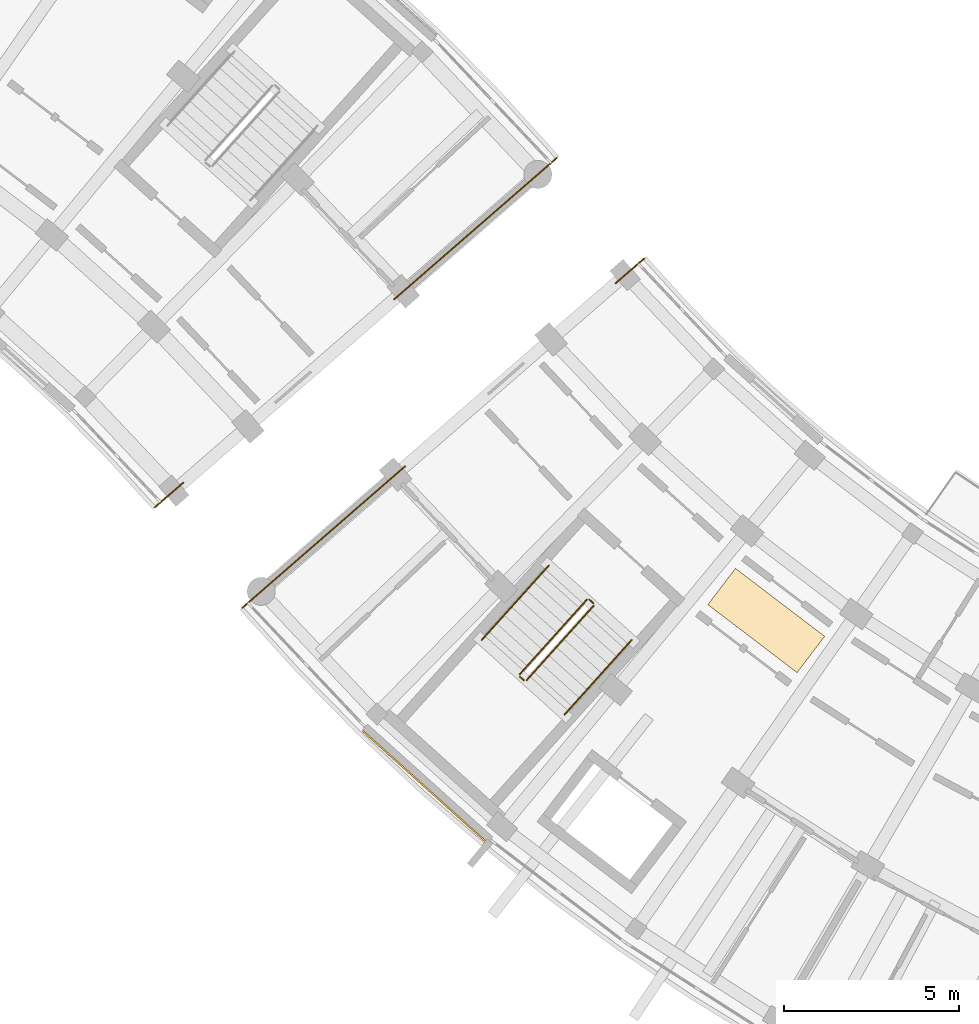
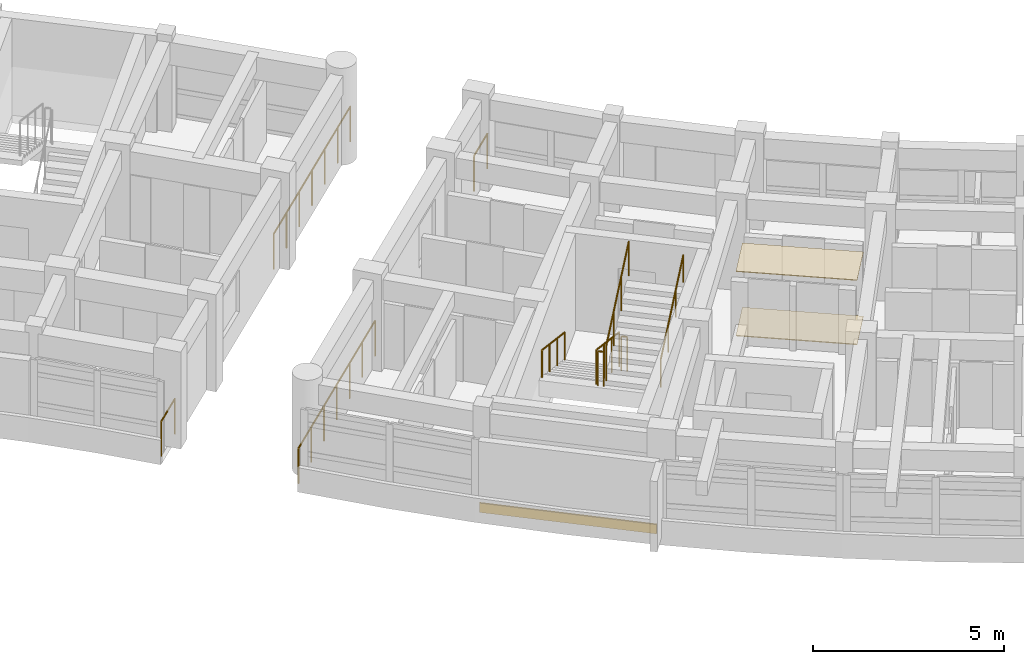
# One storey, part 47 of 56: 10 railings, 3 coverings.
"""IFC4 building model written with IfcOpenShell, lengths in metres."""

import ifcopenshell
import ifcopenshell.guid

model = None  # the IFC model being written
_history = None  # IfcOwnerHistory: only IFC2X3 demands one
_inside = {}  # id of a spatial element -> (the spatial element, [elements in it])
_under = {}  # id of a project, library or spatial element -> (it, [spatial elements below it])
_declared = {}  # id of a project -> (the project, [libraries it declares])
_typed = {}  # id of a type object -> (the type object, [elements of that type])
_made_of = {}  # id of a material, layer set ... -> (it, [elements and type objects made of it])


def new_model(schema):
    """Start an empty IFC model of exactly this schema.

    Asked for "IFC4X3", IfcOpenShell would pick the latest addendum, in which some entities
    have other attributes; the version numbers below select the first issue.
    IFC2X3 requires an IfcOwnerHistory on every rooted entity: one is made here for all.
    """
    global model, _history
    if schema == "IFC4X3":
        model = ifcopenshell.file(schema_version=(4, 3, 0, 0))
    else:
        model = ifcopenshell.file(schema=schema)
    _inside.clear()
    _under.clear()
    _declared.clear()
    _typed.clear()
    _made_of.clear()
    _history = None
    if model.schema == "IFC2X3":
        org = make("IfcOrganization", Name="unknown")
        user = make(
            "IfcPersonAndOrganization",
            ThePerson=make("IfcPerson", FamilyName="unknown"),
            TheOrganization=org,
        )
        app = make(
            "IfcApplication",
            ApplicationDeveloper=org,
            Version="unknown",
            ApplicationFullName="unknown",
            ApplicationIdentifier="unknown",
        )
        _history = make(
            "IfcOwnerHistory",
            OwningUser=user,
            OwningApplication=app,
            ChangeAction="ADDED",
            CreationDate=0,
        )
    return model


def make(cls, **values):
    """One entity of the class cls with the attributes given. An attribute that is None is left unset."""
    return model.create_entity(
        cls, **{name: value for name, value in values.items() if value is not None}
    )


def rooted(cls, **values):
    """An entity with a GlobalId (a new one), such as an element, a storey or a relation."""
    return make(cls, GlobalId=ifcopenshell.guid.new(), OwnerHistory=_history, **values)


def si_unit(unit_type, name, prefix=None):
    """IfcSIUnit, for example si_unit("LENGTHUNIT", "METRE", prefix="MILLI")."""
    return make("IfcSIUnit", UnitType=unit_type, Prefix=prefix, Name=name)


def assignment(units):
    """IfcUnitAssignment: the units of a project."""
    return None if units is None else make("IfcUnitAssignment", Units=units)


def point(xyz):
    """IfcCartesianPoint."""
    return None if xyz is None else make("IfcCartesianPoint", Coordinates=xyz)


def direction(xyz):
    """IfcDirection."""
    return None if xyz is None else make("IfcDirection", DirectionRatios=xyz)


def frame(location, z_axis=None, x_axis=None):
    """IfcAxis2Placement3D, a coordinate frame: its origin and axes. An axis left out is left unset."""
    return make(
        "IfcAxis2Placement3D",
        Location=point(location),
        Axis=direction(z_axis),
        RefDirection=direction(x_axis),
    )


def frame_2d(location, x_axis=None):
    """IfcAxis2Placement2D, a coordinate frame in the plane: its origin and x axis."""
    return make(
        "IfcAxis2Placement2D", Location=point(location), RefDirection=direction(x_axis)
    )


def origin():
    """The frame at (0, 0, 0) with its axes left unset."""
    return frame((0.0, 0.0, 0.0))


def origin_2d():
    """The frame at (0, 0) in the plane with its x axis left unset."""
    return frame_2d((0.0, 0.0))


def place(relative_to, where):
    """IfcLocalPlacement: puts the frame where relative to a parent placement (None: the world)."""
    return make(
        "IfcLocalPlacement", PlacementRelTo=relative_to, RelativePlacement=where
    )


def context(
    kind, dimensions, precision=None, world=None, true_north=None, identifier=None
):
    """IfcGeometricRepresentationContext, for example the 3D "Model" context."""
    return make(
        "IfcGeometricRepresentationContext",
        ContextIdentifier=identifier,
        ContextType=kind,
        CoordinateSpaceDimension=dimensions,
        Precision=precision,
        WorldCoordinateSystem=world,
        TrueNorth=true_north,
    )


def subcontext(parent, identifier, kind, view, scale=None):
    """IfcGeometricRepresentationSubContext, for example "Body" below "Model"."""
    return make(
        "IfcGeometricRepresentationSubContext",
        ContextIdentifier=identifier,
        ContextType=kind,
        ParentContext=parent,
        TargetScale=scale,
        TargetView=view,
    )


def project(units=None, contexts=None):
    """IfcProject with its units and contexts."""
    return rooted(
        "IfcProject",
        Name="project",
        RepresentationContexts=contexts,
        UnitsInContext=assignment(units),
    )


def spatial(cls, under=None, at=None, **own):
    """A site, building, storey or space (cls), placed at a placement, below another one or the project."""
    s = rooted(cls, ObjectPlacement=at, **own)
    if under is not None:
        _under.setdefault(under.id(), (under, []))[1].append(s)
    return s


def profile(cls, at=None, kind="AREA", **sizes):
    """A parametric profile (cls). Its sizes go by their IFC names, for example OverallWidth=200.0."""
    return make(cls, ProfileType=kind, Position=at, **sizes)


def rectangle(**sizes):
    """IfcRectangleProfileDef."""
    return profile("IfcRectangleProfileDef", **sizes)


def circle(**sizes):
    """IfcCircleProfileDef."""
    return profile("IfcCircleProfileDef", **sizes)


def extrude(swept, where, along, depth):
    """IfcExtrudedAreaSolid: the profile swept, set in the frame where, extruded along a direction by depth."""
    return make(
        "IfcExtrudedAreaSolid",
        SweptArea=swept,
        Position=where,
        ExtrudedDirection=direction(along),
        Depth=depth,
    )


def shape(context_of_items, identifier, shape_type, items):
    """IfcShapeRepresentation: the items that make up one representation, for example the "Body"."""
    return make(
        "IfcShapeRepresentation",
        ContextOfItems=context_of_items,
        RepresentationIdentifier=identifier,
        RepresentationType=shape_type,
        Items=items,
    )


def material(Name=None, Category=None):
    """IfcMaterial."""
    return make("IfcMaterial", Name=Name, Category=Category)


def layer(
    of_material, thickness, ventilated=None, Name=None, Category=None, Priority=None
):
    """IfcMaterialLayer: one layer of a wall or slab, of a material (None: an air gap)."""
    return make(
        "IfcMaterialLayer",
        Material=of_material,
        LayerThickness=thickness,
        IsVentilated=ventilated,
        Name=Name,
        Category=Category,
        Priority=Priority,
    )


def layer_set(layers, Name=None):
    """IfcMaterialLayerSet."""
    return make("IfcMaterialLayerSet", MaterialLayers=layers, LayerSetName=Name)


def made_of(thing, what):
    """Note that an element or type object is made of a material, layer set ...; save() writes the relation."""
    if what is not None:
        _made_of.setdefault(what.id(), (what, []))[1].append(thing)
    return thing


def type_object(cls, material=None, **own):
    """A type object (cls), such as IfcWallType, which elements share."""
    return made_of(rooted(cls, **own), material)


def element(
    cls,
    number,
    at=None,
    inside=None,
    cuts=None,
    type_object=None,
    material=None,
    context=None,
    identifier="Body",
    shape_type=None,
    held_by="IfcProductDefinitionShape",
    body=None,
    shapes=None,
    **own,
):
    """One element of the class cls, such as IfcWall. Its Tag is "e" and its number.

    at: its placement. inside: the storey or other place that contains it. cuts: it is an
    opening in that element (IfcRelVoidsElement). A single representation is given by context,
    identifier, shape_type and body (its items); several are given by shapes. held_by: the class
    of the entity that holds the representations. save() writes the other relations.
    """
    e = rooted(cls, Tag="e%d" % number, ObjectPlacement=at, **own)
    if body is not None:
        shapes = [shape(context, identifier, shape_type, body)]
    if shapes is not None:
        e.Representation = make(held_by, Representations=shapes)
    if inside is not None:
        _inside.setdefault(inside.id(), (inside, []))[1].append(e)
    if cuts is not None:
        rooted(
            "IfcRelVoidsElement", RelatingBuildingElement=cuts, RelatedOpeningElement=e
        )
    if type_object is not None:
        _typed.setdefault(type_object.id(), (type_object, []))[1].append(e)
    return made_of(e, material)


def aggregate(whole, parts):
    """IfcRelAggregates: a whole, such as a stair, and the parts it consists of."""
    return rooted("IfcRelAggregates", RelatingObject=whole, RelatedObjects=parts)


def save(model, path):
    """Write the relations noted so far, then the file.

    IfcRelAggregates (storeys below a building ...), IfcRelContainedInSpatialStructure (elements
    in a storey), IfcRelDefinesByType, IfcRelAssociatesMaterial and IfcRelDeclares: one each for
    every whole, place, type object, material and project.
    """
    for whole, parts in _under.values():
        aggregate(whole, parts)
    for where, things in _inside.values():
        rooted(
            "IfcRelContainedInSpatialStructure",
            RelatedElements=things,
            RelatingStructure=where,
        )
    for kind, things in _typed.values():
        rooted("IfcRelDefinesByType", RelatedObjects=things, RelatingType=kind)
    for what, things in _made_of.values():
        rooted("IfcRelAssociatesMaterial", RelatedObjects=things, RelatingMaterial=what)
    for by, libraries in _declared.values():
        rooted("IfcRelDeclares", RelatingContext=by, RelatedDefinitions=libraries)
    model.write(path)


model = new_model("IFC4")

# Units and contexts
model_context = context("Model", 3, precision=1e-05, world=origin(), true_north=direction((0.0, 1.0)))
body_context = subcontext(model_context, "Body", "Model", "MODEL_VIEW")
ifc_project = project(units=[si_unit("LENGTHUNIT", "METRE"), si_unit("AREAUNIT", "SQUARE_METRE"), si_unit("VOLUMEUNIT", "CUBIC_METRE"), si_unit("PLANEANGLEUNIT", "RADIAN"), si_unit("MASSUNIT", "GRAM", prefix="KILO")], contexts=[model_context])

# Site, building, storey
site_placement = place(None, origin())
site = spatial("IfcSite", under=ifc_project, at=site_placement, CompositionType="ELEMENT")
building_placement = place(site_placement, origin())
building = spatial("IfcBuilding", under=site, at=building_placement, Name="Zimvara Arc Housing Community", CompositionType="ELEMENT")
storey_placement = place(building_placement, frame((0.0, 0.0, 17.39990234375)))
storey = spatial("IfcBuildingStorey", under=building, at=storey_placement, Name="L05", CompositionType="ELEMENT", Elevation=17.39990234375)

# Coverings
ifc_material_1 = material(Name="Pale-Gold Anodised Aluminium Cladding", Category="aluminium")
ifc_layer_1 = layer(ifc_material_1, 0.044921875)
ifc_layer_set_1 = layer_set([ifc_layer_1], Name="Pale-Gold Anodised Aluminium Cladding")
covering_type_1 = type_object("IfcCoveringType", Name="CLD-GOLD-02", PredefinedType="CLADDING", material=ifc_layer_set_1)
covering_1_placement = place(storey_placement, frame((86.2109375, 65.660888671875, 0.01025390625), z_axis=(0.0, 0.0, 1.0), x_axis=(0.74337718344, -0.668872456557, 0.0)))
element("IfcCovering", 1, at=covering_1_placement, inside=storey, type_object=covering_type_1, Name="cld:blkC:L05:out:b1", PredefinedType="CLADDING", context=body_context, shape_type="SweptSolid", body=[
    extrude(rectangle(XDim=4.748779296875, YDim=0.044921875, at=origin_2d()), origin(), (0.0, 0.0, 1.0), 0.300048828125),
])
ifc_material_2 = material(Name="Perforated Acoustic Ceiling Board")
ifc_layer_2 = layer(ifc_material_2, 0.02197265625)
ifc_layer_set_2 = layer_set([ifc_layer_2], Name="Perforated Acoustic Ceiling Board")
covering_type_2 = type_object("IfcCoveringType", Name="COV-CEIL-02", PredefinedType="CEILING", material=ifc_layer_set_2)
covering_2_placement = place(storey_placement, frame((95.954833984375, 70.40087890625, 2.05810546875), z_axis=(0.0, 0.0, 1.0), x_axis=(-0.605988400266, -0.795473480855, 0.0)))
element("IfcCovering", 2, at=covering_2_placement, inside=storey, type_object=covering_type_2, Name="ceil:blkC:L05", PredefinedType="CEILING", context=body_context, shape_type="SweptSolid", body=[
    extrude(rectangle(XDim=1.300048828125, YDim=3.199951171875, at=origin_2d()), origin(), (0.0, 0.0, 1.0), 0.02197265625),
])
ifc_material_3 = material(Name="Polished Coastal Sand Terrazzo")
ifc_layer_3 = layer(ifc_material_3, 0.02392578125)
ifc_layer_set_3 = layer_set([ifc_layer_3], Name="Polished Coastal Sand Terrazzo")
covering_type_3 = type_object("IfcCoveringType", Name="COV-FLOR-02", PredefinedType="FLOORING", material=ifc_layer_set_3)
covering_3_placement = place(storey_placement, frame((95.954833984375, 70.40087890625, 0.000244140625), z_axis=(0.0, 0.0, 1.0), x_axis=(-0.605988400266, -0.795473480855, 0.0)))
element("IfcCovering", 3, at=covering_3_placement, inside=storey, type_object=covering_type_3, Name="flor:blkC:L05", PredefinedType="FLOORING", context=body_context, shape_type="SweptSolid", body=[
    extrude(rectangle(XDim=1.300048828125, YDim=3.199951171875, at=origin_2d()), origin(), (0.0, 0.0, 1.0), 0.02392578125),
])

# Railings
ifc_material_4 = material(Name="Anodised Aluminium AW-6063", Category="aluminium")
railing_type_1 = type_object("IfcRailingType", Name="RLG-BAL-1120", PredefinedType="BALUSTRADE", material=ifc_material_4)
railing_1_placement = place(storey_placement, frame((90.83447265625, 70.993896484375, 0.155029296875)))
element("IfcRailing", 4, at=railing_1_placement, inside=storey, type_object=railing_type_1, Name="L05 ST-C1 stair guard 1", PredefinedType="BALUSTRADE", context=body_context, shape_type="SweptSolid", body=[
    extrude(circle(Radius=0.02392578125, at=origin_2d()), frame((0.0, 0.0, 1.09619140625), z_axis=(-0.601262536038, -0.668205807809, 0.438160200347), x_axis=(0.743362010683, -0.668889319, 0.0)), (0.0, 0.0, 1.0), 3.183837890625),
    extrude(circle(Radius=0.02099609375, at=origin_2d()), origin(), (0.0, 0.0, 1.0), 1.072021484375),
    extrude(circle(Radius=0.02099609375, at=origin_2d()), frame((-0.63818359375, -0.709228515625, 0.465087890625)), (0.0, 0.0, 1.0), 1.072021484375),
    extrude(circle(Radius=0.02099609375, at=origin_2d()), frame((-1.276123046875, -1.418212890625, 0.929931640625)), (0.0, 0.0, 1.0), 1.072021484375),
    extrude(circle(Radius=0.02099609375, at=origin_2d()), frame((-1.914306640625, -2.12744140625, 1.39501953125)), (0.0, 0.0, 1.0), 1.072021484375),
])
railing_2_placement = place(storey_placement, frame((88.923828125, 68.795654296875, 1.550048828125)))
element("IfcRailing", 5, at=railing_2_placement, inside=storey, type_object=railing_type_1, Name="L05 ST-C1 stair guard 2", PredefinedType="BALUSTRADE", context=body_context, shape_type="SweptSolid", body=[
    extrude(circle(Radius=0.02392578125, at=origin_2d()), frame((0.0, 0.0, 1.09619140625), z_axis=(0.744203407529, -0.667953058397, 0.0), x_axis=(0.667953058397, 0.744203407529, 0.0)), (0.0, 0.0, 1.0), 0.16015625),
    extrude(circle(Radius=0.02099609375, at=origin_2d()), origin(), (0.0, 0.0, 1.0), 1.072021484375),
    extrude(circle(Radius=0.02099609375, at=origin_2d()), frame((0.119140625, -0.10693359375, 0.0)), (0.0, 0.0, 1.0), 1.072021484375),
])
railing_3_placement = place(storey_placement, frame((89.113525390625, 68.6923828125, 1.705078125)))
element("IfcRailing", 6, at=railing_3_placement, inside=storey, type_object=railing_type_1, Name="L05 ST-C1 stair guard 3", PredefinedType="BALUSTRADE", context=body_context, shape_type="SweptSolid", body=[
    extrude(circle(Radius=0.02392578125, at=origin_2d()), frame((0.0, 0.0, 1.09619140625), z_axis=(0.601231728384, 0.668248248038, 0.438137749775), x_axis=(-0.743400174344, 0.668846903847, 0.0)), (0.0, 0.0, 1.0), 3.18408203125),
    extrude(circle(Radius=0.02099609375, at=origin_2d()), origin(), (0.0, 0.0, 1.0), 1.072021484375),
    extrude(circle(Radius=0.02099609375, at=origin_2d()), frame((0.63818359375, 0.709228515625, 0.465087890625)), (0.0, 0.0, 1.0), 1.072021484375),
    extrude(circle(Radius=0.02099609375, at=origin_2d()), frame((1.276123046875, 1.41845703125, 0.929931640625)), (0.0, 0.0, 1.0), 1.072021484375),
    extrude(circle(Radius=0.02099609375, at=origin_2d()), frame((1.914306640625, 2.127685546875, 1.39501953125)), (0.0, 0.0, 1.0), 1.072021484375),
])
railing_4_placement = place(storey_placement, frame((90.905029296875, 70.99755859375, 0.0)))
element("IfcRailing", 7, at=railing_4_placement, inside=storey, type_object=railing_type_1, Name="L05 ST-C1 stair guard 4", PredefinedType="BALUSTRADE", context=body_context, shape_type="SweptSolid", body=[
    extrude(circle(Radius=0.02392578125, at=origin_2d()), frame((0.0, 0.0, 1.09619140625), z_axis=(0.744203407529, -0.667953058397, 0.0), x_axis=(0.667953058397, 0.744203407529, 0.0)), (0.0, 0.0, 1.0), 0.16015625),
    extrude(circle(Radius=0.02099609375, at=origin_2d()), origin(), (0.0, 0.0, 1.0), 1.072021484375),
    extrude(circle(Radius=0.02099609375, at=origin_2d()), frame((0.119140625, -0.10693359375, 0.0)), (0.0, 0.0, 1.0), 1.072021484375),
])
ifc_material_5 = material(Name="Anodised Aluminium AW-6063", Category="aluminium")
railing_type_2 = type_object("IfcRailingType", Name="RLG-BAL-1150", PredefinedType="BALUSTRADE", material=ifc_material_5)
railing_5_placement = place(storey_placement, frame((78.509033203125, 73.62890625, 0.0)))
element("IfcRailing", 8, at=railing_5_placement, inside=storey, type_object=railing_type_2, Name="rlg:blkB:L05:gable_in:gN", PredefinedType="BALUSTRADE", context=body_context, shape_type="SweptSolid", body=[
    extrude(circle(Radius=0.02392578125, at=origin_2d()), frame((0.0, 0.0, 1.1259765625), z_axis=(0.754659042762, 0.656117161167, 0.0), x_axis=(-0.656117161167, 0.754659042762, 0.0)), (0.0, 0.0, 1.0), 1.080322265625),
    extrude(circle(Radius=0.02099609375, at=origin_2d()), origin(), (0.0, 0.0, 1.0), 1.101806640625),
    extrude(circle(Radius=0.02099609375, at=origin_2d()), frame((0.815185546875, 0.708740234375, 0.0)), (0.0, 0.0, 1.0), 1.101806640625),
])
railing_6_placement = place(storey_placement, frame((85.331787109375, 79.559814453125, 0.0)))
element("IfcRailing", 9, at=railing_6_placement, inside=storey, type_object=railing_type_2, Name="rlg:blkB:L05:gable_out:gN", PredefinedType="BALUSTRADE", context=body_context, shape_type="SweptSolid", body=[
    extrude(circle(Radius=0.02392578125, at=origin_2d()), frame((0.0, 0.0, 1.1259765625), z_axis=(0.754708757217, 0.656059975749, 0.0), x_axis=(-0.656059975749, 0.754708757217, 0.0)), (0.0, 0.0, 1.0), 6.159912109375),
    extrude(circle(Radius=0.02099609375, at=origin_2d()), origin(), (0.0, 0.0, 1.0), 1.101806640625),
    extrude(circle(Radius=0.02099609375, at=origin_2d()), frame((0.77490234375, 0.673583984375, 0.0)), (0.0, 0.0, 1.0), 1.101806640625),
    extrude(circle(Radius=0.02099609375, at=origin_2d()), frame((1.549560546875, 1.34716796875, 0.0)), (0.0, 0.0, 1.0), 1.101806640625),
    extrude(circle(Radius=0.02099609375, at=origin_2d()), frame((2.324462890625, 2.0205078125, 0.0)), (0.0, 0.0, 1.0), 1.101806640625),
    extrude(circle(Radius=0.02099609375, at=origin_2d()), frame((3.099365234375, 2.694091796875, 0.0)), (0.0, 0.0, 1.0), 1.101806640625),
    extrude(circle(Radius=0.02099609375, at=origin_2d()), frame((3.8740234375, 3.36767578125, 0.0)), (0.0, 0.0, 1.0), 1.101806640625),
    extrude(circle(Radius=0.02099609375, at=origin_2d()), frame((4.64892578125, 4.041259765625, 0.0)), (0.0, 0.0, 1.0), 1.101806640625),
])
railing_7_placement = place(storey_placement, frame((92.470947265625, 80.73095703125, 0.0)))
element("IfcRailing", 10, at=railing_7_placement, inside=storey, type_object=railing_type_2, Name="rlg:blkC:L05:gable_in:g0", PredefinedType="BALUSTRADE", context=body_context, shape_type="SweptSolid", body=[
    extrude(circle(Radius=0.02392578125, at=origin_2d()), frame((0.0, 0.0, 1.1259765625), z_axis=(-0.75477095777, -0.655988415528, 0.0), x_axis=(0.655988415528, -0.75477095777, 0.0)), (0.0, 0.0, 1.0), 1.080078125),
    extrude(circle(Radius=0.02099609375, at=origin_2d()), origin(), (0.0, 0.0, 1.0), 1.101806640625),
    extrude(circle(Radius=0.02099609375, at=origin_2d()), frame((-0.815185546875, -0.70849609375, 0.0)), (0.0, 0.0, 1.0), 1.101806640625),
])
railing_8_placement = place(storey_placement, frame((85.6484375, 74.80029296875, 0.0)))
element("IfcRailing", 11, at=railing_8_placement, inside=storey, type_object=railing_type_2, Name="rlg:blkC:L05:gable_out:g0", PredefinedType="BALUSTRADE", context=body_context, shape_type="SweptSolid", body=[
    extrude(circle(Radius=0.02392578125, at=origin_2d()), frame((0.0, 0.0, 1.1259765625), z_axis=(-0.754706192268, -0.656062926367, 0.0), x_axis=(0.656062926367, -0.754706192268, 0.0)), (0.0, 0.0, 1.0), 6.16015625),
    extrude(circle(Radius=0.02099609375, at=origin_2d()), origin(), (0.0, 0.0, 1.0), 1.101806640625),
    extrude(circle(Radius=0.02099609375, at=origin_2d()), frame((-0.77490234375, -0.673583984375, 0.0)), (0.0, 0.0, 1.0), 1.101806640625),
    extrude(circle(Radius=0.02099609375, at=origin_2d()), frame((-1.5498046875, -1.34716796875, 0.0)), (0.0, 0.0, 1.0), 1.101806640625),
    extrude(circle(Radius=0.02099609375, at=origin_2d()), frame((-2.32470703125, -2.020751953125, 0.0)), (0.0, 0.0, 1.0), 1.101806640625),
    extrude(circle(Radius=0.02099609375, at=origin_2d()), frame((-3.099365234375, -2.6943359375, 0.0)), (0.0, 0.0, 1.0), 1.101806640625),
    extrude(circle(Radius=0.02099609375, at=origin_2d()), frame((-3.874267578125, -3.367919921875, 0.0)), (0.0, 0.0, 1.0), 1.101806640625),
    extrude(circle(Radius=0.02099609375, at=origin_2d()), frame((-4.649169921875, -4.04150390625, 0.0)), (0.0, 0.0, 1.0), 1.101806640625),
])
ifc_material_6 = material(Name="Anodised Aluminium AW-6063", Category="aluminium")
railing_type_3 = type_object("IfcRailingType", Name="RLG-HND-900", PredefinedType="HANDRAIL", material=ifc_material_6)
railing_9_placement = place(storey_placement, frame((89.749267578125, 71.970458984375, 0.155029296875)))
element("IfcRailing", 12, at=railing_9_placement, inside=storey, type_object=railing_type_3, Name="L05 ST-C1 stair handrail 1", PredefinedType="HANDRAIL", context=body_context, shape_type="SweptSolid", body=[
    extrude(circle(Radius=0.02392578125, at=origin_2d()), frame((0.0, 0.0, 0.8759765625), z_axis=(-0.601262536038, -0.668205807809, 0.438160200347), x_axis=(0.743362010683, -0.668889319, 0.0)), (0.0, 0.0, 1.0), 3.183837890625),
    extrude(circle(Radius=0.02099609375, at=origin_2d()), origin(), (0.0, 0.0, 1.0), 0.851806640625),
    extrude(circle(Radius=0.02099609375, at=origin_2d()), frame((-0.63818359375, -0.709228515625, 0.465087890625)), (0.0, 0.0, 1.0), 0.851806640625),
    extrude(circle(Radius=0.02099609375, at=origin_2d()), frame((-1.276123046875, -1.418212890625, 0.929931640625)), (0.0, 0.0, 1.0), 0.851806640625),
    extrude(circle(Radius=0.02099609375, at=origin_2d()), frame((-1.914306640625, -2.12744140625, 1.39501953125)), (0.0, 0.0, 1.0), 0.851806640625),
])
railing_10_placement = place(storey_placement, frame((90.19873046875, 67.7158203125, 1.705078125)))
element("IfcRailing", 13, at=railing_10_placement, inside=storey, type_object=railing_type_3, Name="L05 ST-C1 stair handrail 2", PredefinedType="HANDRAIL", context=body_context, shape_type="SweptSolid", body=[
    extrude(circle(Radius=0.02392578125, at=origin_2d()), frame((0.0, 0.0, 0.8759765625), z_axis=(0.601231728384, 0.668248248038, 0.438137749775), x_axis=(-0.743400174344, 0.668846903847, 0.0)), (0.0, 0.0, 1.0), 3.18408203125),
    extrude(circle(Radius=0.02099609375, at=origin_2d()), origin(), (0.0, 0.0, 1.0), 0.851806640625),
    extrude(circle(Radius=0.02099609375, at=origin_2d()), frame((0.63818359375, 0.709228515625, 0.465087890625)), (0.0, 0.0, 1.0), 0.851806640625),
    extrude(circle(Radius=0.02099609375, at=origin_2d()), frame((1.276123046875, 1.41845703125, 0.929931640625)), (0.0, 0.0, 1.0), 0.851806640625),
    extrude(circle(Radius=0.02099609375, at=origin_2d()), frame((1.914306640625, 2.127685546875, 1.39501953125)), (0.0, 0.0, 1.0), 0.851806640625),
])

save(model, "model.ifc")
